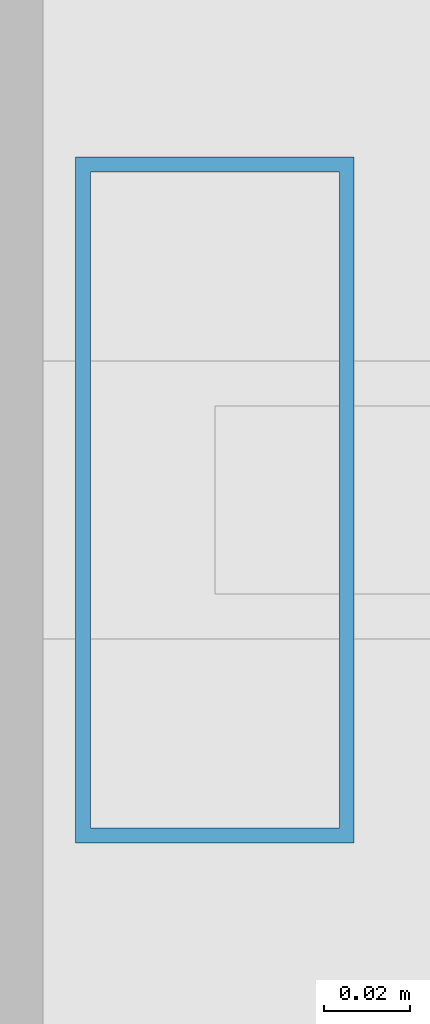
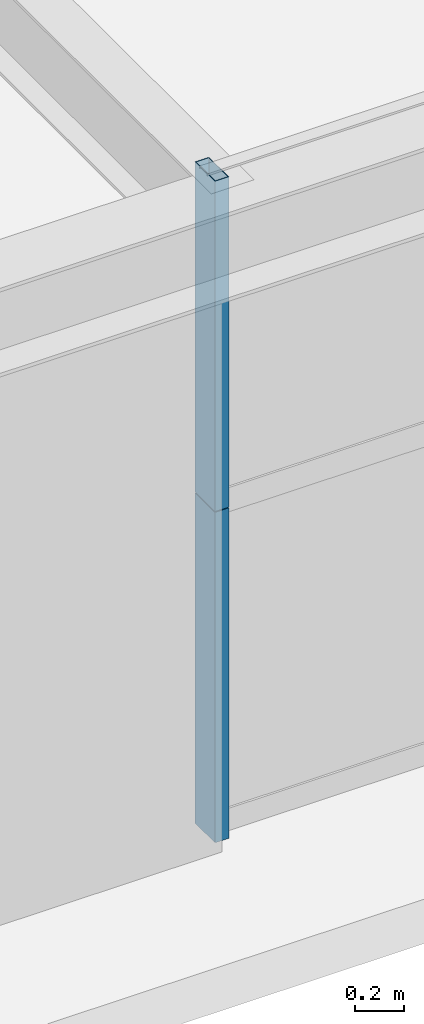
# One storey, part 3 of 33: 2 members, 1 element without a shape of its own.
"""IFC4 building model written with IfcOpenShell, lengths in metres."""

from ifc_helpers import new_model, si_unit, direction, frame, origin, origin_2d, place, context, subcontext, project, spatial, hollow_rectangle, extrude, source, transform, mapped, material, layer, layer_set, material_profile, profile_set, type_object, element, aggregate, save


model = new_model("IFC4")

# Units and contexts
model_context = context("Model", 3, precision=1e-05, world=origin(), true_north=direction((0.0, 1.0)))
body_context = subcontext(model_context, "Body", "Model", "MODEL_VIEW")
ifc_project = project(units=[si_unit("LENGTHUNIT", "METRE"), si_unit("AREAUNIT", "SQUARE_METRE"), si_unit("VOLUMEUNIT", "CUBIC_METRE"), si_unit("PLANEANGLEUNIT", "RADIAN"), si_unit("MASSUNIT", "GRAM", prefix="KILO"), si_unit("THERMODYNAMICTEMPERATUREUNIT", "KELVIN"), si_unit("POWERUNIT", "WATT")], contexts=[model_context])

# Site, building, storey
site_placement = place(None, origin())
site = spatial("IfcSite", under=ifc_project, at=site_placement, CompositionType="ELEMENT")
building_placement = place(site_placement, origin())
building = spatial("IfcBuilding", under=site, at=building_placement, Name="Yuzanri Waterfront Tower", CompositionType="ELEMENT")
storey_placement = place(building_placement, frame((0.0, 0.0, 234.60009765625)))
storey = spatial("IfcBuildingStorey", under=building, at=storey_placement, Name="L62", CompositionType="ELEMENT", Elevation=234.60009765625)

# Curtain wall, members
ifc_material_1 = material(Name="Anodized Architectural Bronze", Category="metal")
ifc_layer = layer(ifc_material_1, 0.159912109375)
ifc_layer_set = layer_set([ifc_layer], Name="Anodized Architectural Bronze")
curtain_wall_type = type_object("IfcCurtainWallType", Name="Anodized Bronze Mid-Rise Residential Acoustic Unitized Curtain Wall 7200", PredefinedType="NOTDEFINED", material=ifc_layer_set)
curtain_wall_placement = place(storey_placement, origin())
curtain_wall = element("IfcCurtainWall", 1, at=curtain_wall_placement, inside=storey, type_object=curtain_wall_type, Name="L62 Curtain Wall CW-L62-SL1", PredefinedType="NOTDEFINED")
ifc_material_2 = material(Name="Anodized Architectural Bronze", Category="metal")
ifc_material_profile = material_profile(ifc_material_2, hollow_rectangle(XDim=0.06494140625, YDim=0.159912109375, WallThickness=0.00341796875, at=origin_2d()), Name="CWM 65x160")
ifc_profile_set = profile_set([ifc_material_profile], Name="Anodized Architectural Bronze")
member_type = type_object("IfcMemberType", Name="Anodized Bronze Upper-Zone Curtain-Wall Mullion 65x160", PredefinedType="MULLION", material=ifc_profile_set)
shared_shape = source(origin(), body_context, "Body", "SweptSolid", [
    extrude(hollow_rectangle(XDim=0.06494140625, YDim=0.159912109375, WallThickness=0.00341796875, at=origin_2d()), origin(), (0.0, 0.0, 1.0), 1.637939453125),
])
member_1_placement = place(storey_placement, frame((23.7900390625, 5.35009765625, 0.0), z_axis=(0.0, 0.0, 1.0), x_axis=(1.0, 0.0, 0.0)))
member_1 = element("IfcMember", 2, at=member_1_placement, type_object=member_type, Name="CW-L62-SL1 Lower Mullion 00", PredefinedType="MULLION", context=body_context, shape_type="MappedRepresentation", body=[
    mapped(shared_shape, transform((0.0, 0.0, 0.0), scale=1.0)),
])
member_2_placement = place(storey_placement, frame((23.7900390625, 5.35009765625, 1.641845703125), z_axis=(0.0, 0.0, 1.0), x_axis=(1.0, 0.0, 0.0)))
member_2 = element("IfcMember", 3, at=member_2_placement, type_object=member_type, Name="CW-L62-SL1 Upper Mullion 00", PredefinedType="MULLION", context=body_context, shape_type="MappedRepresentation", body=[
    mapped(shared_shape, transform((0.0, 0.0, 0.0), scale=1.0)),
])
aggregate(curtain_wall, [member_1, member_2])

save(model, "model.ifc")
